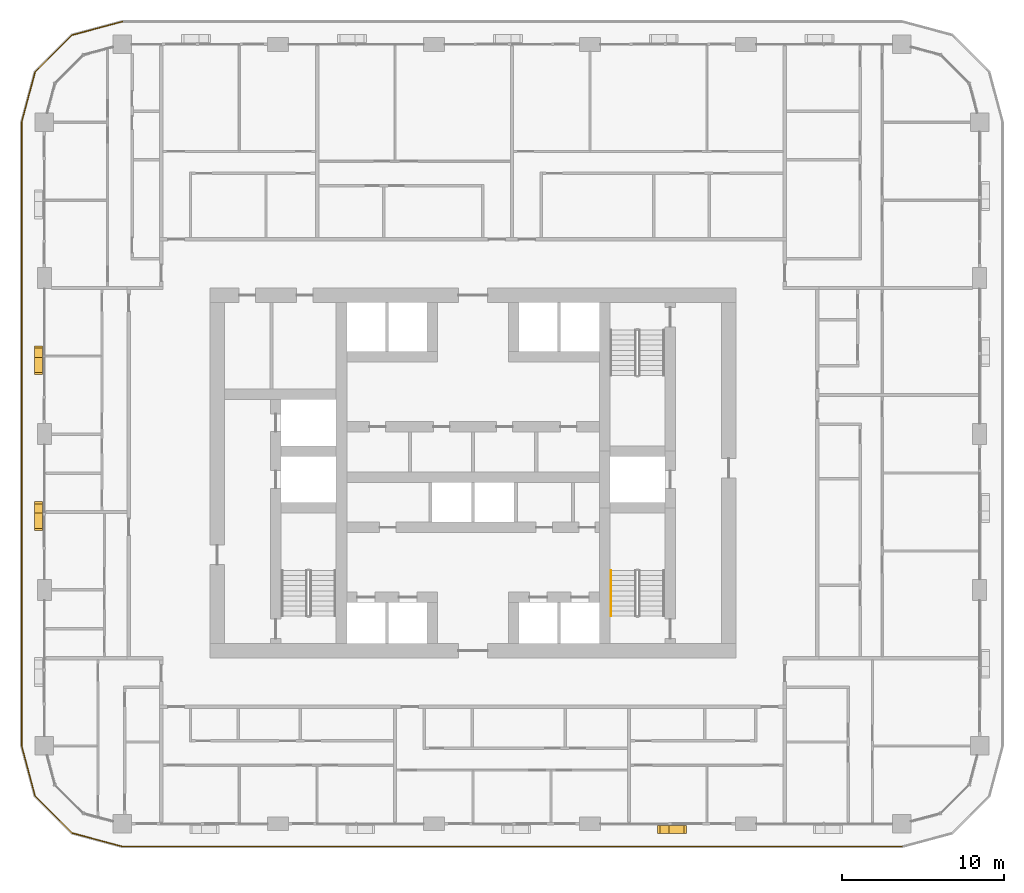
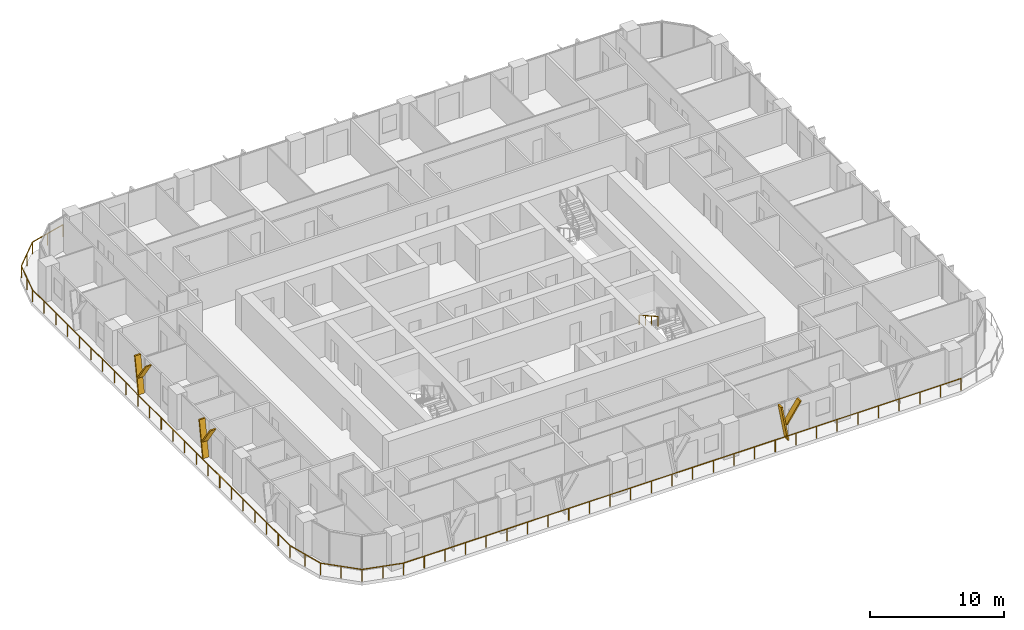
# One storey, part 18 of 22: 6 shading devices, 2 railings.
"""IFC4 building model written with IfcOpenShell, lengths in metres."""

from ifc_helpers import new_model, si_unit, direction, frame, origin, origin_2d, place, context, subcontext, project, spatial, polyline, circle, outline, extrude, material, type_object, element, save


model = new_model("IFC4")

# Units and contexts
model_context = context("Model", 3, precision=1e-05, world=origin(), true_north=direction((0.0, 1.0)))
body_context = subcontext(model_context, "Body", "Model", "MODEL_VIEW")
ifc_project = project(units=[si_unit("LENGTHUNIT", "METRE"), si_unit("AREAUNIT", "SQUARE_METRE"), si_unit("VOLUMEUNIT", "CUBIC_METRE"), si_unit("PLANEANGLEUNIT", "RADIAN"), si_unit("MASSUNIT", "GRAM", prefix="KILO")], contexts=[model_context])

# Site, building, storey
site_placement = place(None, origin())
site = spatial("IfcSite", under=ifc_project, at=site_placement, CompositionType="ELEMENT")
building_placement = place(site_placement, origin())
building = spatial("IfcBuilding", under=site, at=building_placement, Name="Madar Terraces", CompositionType="ELEMENT")
storey_placement = place(building_placement, frame((0.0, 0.0, 103.199951171875)))
storey = spatial("IfcBuildingStorey", under=building, at=storey_placement, Name="L26", CompositionType="ELEMENT", Elevation=103.199951171875)

# Railing
ifc_material_1 = material(Name="Glass, safety glazing, with stainless steel posts", Category="steel")
railing_type_1 = type_object("IfcRailingType", Name="Balcony glass guard 1100", PredefinedType="GUARDRAIL", material=ifc_material_1)
railing_1_placement = place(storey_placement, frame((9.60009765625, 54.199951171875, 0.0)))
element("IfcRailing", 1, at=railing_1_placement, inside=storey, type_object=railing_type_1, Name="Balcony guard", PredefinedType="GUARDRAIL", context=body_context, shape_type="SweptSolid", body=[
    extrude(circle(Radius=0.02392578125, at=origin_2d()), frame((0.0, 0.0, 1.076171875), z_axis=(-0.9659337912, -0.258789317819, 0.0), x_axis=(0.258789317819, -0.9659337912, 0.0)), (0.0, 0.0, 1.0), 3.20947265625),
    extrude(circle(Radius=0.02392578125, at=origin_2d()), frame((-3.10009765625, -0.83056640625, 1.076171875), z_axis=(-0.707106781187, -0.707106781187, 0.0), x_axis=(0.707106781187, -0.707106781187, 0.0)), (0.0, 0.0, 1.0), 3.209228515625),
    extrude(circle(Radius=0.02392578125, at=origin_2d()), frame((-5.369384765625, -3.099853515625, 1.076171875), z_axis=(-0.258860290944, -0.965914773555, 0.0), x_axis=(0.965914773555, -0.258860290944, 0.0)), (0.0, 0.0, 1.0), 3.20947265625),
    extrude(circle(Radius=0.02392578125, at=origin_2d()), frame((-6.2001953125, -6.199951171875, 1.076171875), z_axis=(0.0, -1.0, 0.0), x_axis=(1.0, 0.0, 0.0)), (0.0, 0.0, 1.0), 38.39990234375),
    extrude(circle(Radius=0.02392578125, at=origin_2d()), frame((-6.2001953125, -44.599853515625, 1.076171875), z_axis=(0.258860290944, -0.965914773555, 0.0), x_axis=(0.965914773555, 0.258860290944, 0.0)), (0.0, 0.0, 1.0), 3.20947265625),
    extrude(circle(Radius=0.02392578125, at=origin_2d()), frame((-5.369384765625, -47.699951171875, 1.076171875), z_axis=(0.707106781187, -0.707106781187, 0.0), x_axis=(0.707106781187, 0.707106781187, 0.0)), (0.0, 0.0, 1.0), 3.209228515625),
    extrude(circle(Radius=0.02392578125, at=origin_2d()), frame((-3.10009765625, -49.96923828125, 1.076171875), z_axis=(0.965914773555, -0.258860290944, 0.0), x_axis=(0.258860290944, 0.965914773555, 0.0)), (0.0, 0.0, 1.0), 3.20947265625),
    extrude(circle(Radius=0.02392578125, at=origin_2d()), frame((0.0, -50.800048828125, 1.076171875), z_axis=(1.0, 0.0, 0.0), x_axis=(0.0, 1.0, 0.0)), (0.0, 0.0, 1.0), 48.0),
    extrude(circle(Radius=0.02099609375, at=origin_2d()), origin(), (0.0, 0.0, 1.0), 1.052001953125),
    extrude(circle(Radius=0.02099609375, at=origin_2d()), frame((-1.550048828125, -0.415283203125, 0.0)), (0.0, 0.0, 1.0), 1.052001953125),
    extrude(circle(Radius=0.02099609375, at=origin_2d()), frame((-3.10009765625, -0.83056640625, 0.0)), (0.0, 0.0, 1.0), 1.052001953125),
    extrude(circle(Radius=0.02099609375, at=origin_2d()), frame((-4.23486328125, -1.96533203125, 0.0)), (0.0, 0.0, 1.0), 1.052001953125),
    extrude(circle(Radius=0.02099609375, at=origin_2d()), frame((-5.369384765625, -3.099853515625, 0.0)), (0.0, 0.0, 1.0), 1.052001953125),
    extrude(circle(Radius=0.02099609375, at=origin_2d()), frame((-5.78466796875, -4.64990234375, 0.0)), (0.0, 0.0, 1.0), 1.052001953125),
    extrude(circle(Radius=0.02099609375, at=origin_2d()), frame((-6.2001953125, -6.199951171875, 0.0)), (0.0, 0.0, 1.0), 1.052001953125),
    extrude(circle(Radius=0.02099609375, at=origin_2d()), frame((-6.2001953125, -7.9453125, 0.0)), (0.0, 0.0, 1.0), 1.052001953125),
    extrude(circle(Radius=0.02099609375, at=origin_2d()), frame((-6.2001953125, -9.69091796875, 0.0)), (0.0, 0.0, 1.0), 1.052001953125),
    extrude(circle(Radius=0.02099609375, at=origin_2d()), frame((-6.2001953125, -11.436279296875, 0.0)), (0.0, 0.0, 1.0), 1.052001953125),
    extrude(circle(Radius=0.02099609375, at=origin_2d()), frame((-6.2001953125, -13.181640625, 0.0)), (0.0, 0.0, 1.0), 1.052001953125),
    extrude(circle(Radius=0.02099609375, at=origin_2d()), frame((-6.2001953125, -14.92724609375, 0.0)), (0.0, 0.0, 1.0), 1.052001953125),
    extrude(circle(Radius=0.02099609375, at=origin_2d()), frame((-6.2001953125, -16.672607421875, 0.0)), (0.0, 0.0, 1.0), 1.052001953125),
    extrude(circle(Radius=0.02099609375, at=origin_2d()), frame((-6.2001953125, -18.418212890625, 0.0)), (0.0, 0.0, 1.0), 1.052001953125),
    extrude(circle(Radius=0.02099609375, at=origin_2d()), frame((-6.2001953125, -20.16357421875, 0.0)), (0.0, 0.0, 1.0), 1.052001953125),
    extrude(circle(Radius=0.02099609375, at=origin_2d()), frame((-6.2001953125, -21.908935546875, 0.0)), (0.0, 0.0, 1.0), 1.052001953125),
    extrude(circle(Radius=0.02099609375, at=origin_2d()), frame((-6.2001953125, -23.654541015625, 0.0)), (0.0, 0.0, 1.0), 1.052001953125),
    extrude(circle(Radius=0.02099609375, at=origin_2d()), frame((-6.2001953125, -25.39990234375, 0.0)), (0.0, 0.0, 1.0), 1.052001953125),
    extrude(circle(Radius=0.02099609375, at=origin_2d()), frame((-6.2001953125, -27.145263671875, 0.0)), (0.0, 0.0, 1.0), 1.052001953125),
    extrude(circle(Radius=0.02099609375, at=origin_2d()), frame((-6.2001953125, -28.890869140625, 0.0)), (0.0, 0.0, 1.0), 1.052001953125),
    extrude(circle(Radius=0.02099609375, at=origin_2d()), frame((-6.2001953125, -30.63623046875, 0.0)), (0.0, 0.0, 1.0), 1.052001953125),
    extrude(circle(Radius=0.02099609375, at=origin_2d()), frame((-6.2001953125, -32.381591796875, 0.0)), (0.0, 0.0, 1.0), 1.052001953125),
    extrude(circle(Radius=0.02099609375, at=origin_2d()), frame((-6.2001953125, -34.127197265625, 0.0)), (0.0, 0.0, 1.0), 1.052001953125),
    extrude(circle(Radius=0.02099609375, at=origin_2d()), frame((-6.2001953125, -35.87255859375, 0.0)), (0.0, 0.0, 1.0), 1.052001953125),
    extrude(circle(Radius=0.02099609375, at=origin_2d()), frame((-6.2001953125, -37.6181640625, 0.0)), (0.0, 0.0, 1.0), 1.052001953125),
    extrude(circle(Radius=0.02099609375, at=origin_2d()), frame((-6.2001953125, -39.363525390625, 0.0)), (0.0, 0.0, 1.0), 1.052001953125),
    extrude(circle(Radius=0.02099609375, at=origin_2d()), frame((-6.2001953125, -41.10888671875, 0.0)), (0.0, 0.0, 1.0), 1.052001953125),
    extrude(circle(Radius=0.02099609375, at=origin_2d()), frame((-6.2001953125, -42.8544921875, 0.0)), (0.0, 0.0, 1.0), 1.052001953125),
    extrude(circle(Radius=0.02099609375, at=origin_2d()), frame((-6.2001953125, -44.599853515625, 0.0)), (0.0, 0.0, 1.0), 1.052001953125),
    extrude(circle(Radius=0.02099609375, at=origin_2d()), frame((-5.78466796875, -46.14990234375, 0.0)), (0.0, 0.0, 1.0), 1.052001953125),
    extrude(circle(Radius=0.02099609375, at=origin_2d()), frame((-5.369384765625, -47.699951171875, 0.0)), (0.0, 0.0, 1.0), 1.052001953125),
    extrude(circle(Radius=0.02099609375, at=origin_2d()), frame((-4.23486328125, -48.83447265625, 0.0)), (0.0, 0.0, 1.0), 1.052001953125),
    extrude(circle(Radius=0.02099609375, at=origin_2d()), frame((-3.10009765625, -49.96923828125, 0.0)), (0.0, 0.0, 1.0), 1.052001953125),
    extrude(circle(Radius=0.02099609375, at=origin_2d()), frame((-1.550048828125, -50.384765625, 0.0)), (0.0, 0.0, 1.0), 1.052001953125),
    extrude(circle(Radius=0.02099609375, at=origin_2d()), frame((0.0, -50.800048828125, 0.0)), (0.0, 0.0, 1.0), 1.052001953125),
    extrude(circle(Radius=0.02099609375, at=origin_2d()), frame((1.77783203125, -50.800048828125, 0.0)), (0.0, 0.0, 1.0), 1.052001953125),
    extrude(circle(Radius=0.02099609375, at=origin_2d()), frame((3.5556640625, -50.800048828125, 0.0)), (0.0, 0.0, 1.0), 1.052001953125),
    extrude(circle(Radius=0.02099609375, at=origin_2d()), frame((5.333251953125, -50.800048828125, 0.0)), (0.0, 0.0, 1.0), 1.052001953125),
    extrude(circle(Radius=0.02099609375, at=origin_2d()), frame((7.111083984375, -50.800048828125, 0.0)), (0.0, 0.0, 1.0), 1.052001953125),
    extrude(circle(Radius=0.02099609375, at=origin_2d()), frame((8.888916015625, -50.800048828125, 0.0)), (0.0, 0.0, 1.0), 1.052001953125),
    extrude(circle(Radius=0.02099609375, at=origin_2d()), frame((10.666748046875, -50.800048828125, 0.0)), (0.0, 0.0, 1.0), 1.052001953125),
    extrude(circle(Radius=0.02099609375, at=origin_2d()), frame((12.4443359375, -50.800048828125, 0.0)), (0.0, 0.0, 1.0), 1.052001953125),
    extrude(circle(Radius=0.02099609375, at=origin_2d()), frame((14.22216796875, -50.800048828125, 0.0)), (0.0, 0.0, 1.0), 1.052001953125),
    extrude(circle(Radius=0.02099609375, at=origin_2d()), frame((16.0, -50.800048828125, 0.0)), (0.0, 0.0, 1.0), 1.052001953125),
    extrude(circle(Radius=0.02099609375, at=origin_2d()), frame((17.77783203125, -50.800048828125, 0.0)), (0.0, 0.0, 1.0), 1.052001953125),
    extrude(circle(Radius=0.02099609375, at=origin_2d()), frame((19.5556640625, -50.800048828125, 0.0)), (0.0, 0.0, 1.0), 1.052001953125),
    extrude(circle(Radius=0.02099609375, at=origin_2d()), frame((21.333251953125, -50.800048828125, 0.0)), (0.0, 0.0, 1.0), 1.052001953125),
    extrude(circle(Radius=0.02099609375, at=origin_2d()), frame((23.111083984375, -50.800048828125, 0.0)), (0.0, 0.0, 1.0), 1.052001953125),
    extrude(circle(Radius=0.02099609375, at=origin_2d()), frame((24.888916015625, -50.800048828125, 0.0)), (0.0, 0.0, 1.0), 1.052001953125),
    extrude(circle(Radius=0.02099609375, at=origin_2d()), frame((26.666748046875, -50.800048828125, 0.0)), (0.0, 0.0, 1.0), 1.052001953125),
    extrude(circle(Radius=0.02099609375, at=origin_2d()), frame((28.4443359375, -50.800048828125, 0.0)), (0.0, 0.0, 1.0), 1.052001953125),
    extrude(circle(Radius=0.02099609375, at=origin_2d()), frame((30.22216796875, -50.800048828125, 0.0)), (0.0, 0.0, 1.0), 1.052001953125),
    extrude(circle(Radius=0.02099609375, at=origin_2d()), frame((32.0, -50.800048828125, 0.0)), (0.0, 0.0, 1.0), 1.052001953125),
    extrude(circle(Radius=0.02099609375, at=origin_2d()), frame((33.77783203125, -50.800048828125, 0.0)), (0.0, 0.0, 1.0), 1.052001953125),
    extrude(circle(Radius=0.02099609375, at=origin_2d()), frame((35.5556640625, -50.800048828125, 0.0)), (0.0, 0.0, 1.0), 1.052001953125),
    extrude(circle(Radius=0.02099609375, at=origin_2d()), frame((37.333251953125, -50.800048828125, 0.0)), (0.0, 0.0, 1.0), 1.052001953125),
    extrude(circle(Radius=0.02099609375, at=origin_2d()), frame((39.111083984375, -50.800048828125, 0.0)), (0.0, 0.0, 1.0), 1.052001953125),
    extrude(circle(Radius=0.02099609375, at=origin_2d()), frame((40.888916015625, -50.800048828125, 0.0)), (0.0, 0.0, 1.0), 1.052001953125),
    extrude(circle(Radius=0.02099609375, at=origin_2d()), frame((42.666748046875, -50.800048828125, 0.0)), (0.0, 0.0, 1.0), 1.052001953125),
    extrude(circle(Radius=0.02099609375, at=origin_2d()), frame((44.4443359375, -50.800048828125, 0.0)), (0.0, 0.0, 1.0), 1.052001953125),
    extrude(circle(Radius=0.02099609375, at=origin_2d()), frame((46.22216796875, -50.800048828125, 0.0)), (0.0, 0.0, 1.0), 1.052001953125),
    extrude(circle(Radius=0.02099609375, at=origin_2d()), frame((48.0, -50.800048828125, 0.0)), (0.0, 0.0, 1.0), 1.052001953125),
])

# Shading devices
ifc_material_2 = material(Name="Aluminium, black anodised", Category="aluminium")
shading_device_type = type_object("IfcShadingDeviceType", Name="Facade fin blade 140 x 500", PredefinedType="USERDEFINED", material=ifc_material_2)
shading_device_1_placement = place(storey_placement, frame((43.1298828125, 4.449951171875, 0.0), z_axis=(0.0, 0.0, 1.0), x_axis=(1.0, 0.0, 0.0)))
element("IfcShadingDevice", 2, at=shading_device_1_placement, inside=storey, type_object=shading_device_type, Name="FIN L26 S4", ObjectType="FIN", PredefinedType="USERDEFINED", context=body_context, shape_type="SweptSolid", body=[
    extrude(outline(polyline([(0.0, 0.0), (0.14013671875, 0.0), (-0.42431640625, 3.199951171875), (-0.564208984375, 3.199951171875), (0.0, 0.0)])), frame((0.0, 0.25, 0.0), z_axis=(0.0, -1.0, 0.0), x_axis=(1.0, 0.0, 0.0)), (0.0, 0.0, 1.0), 0.5),
])
shading_device_2_placement = place(storey_placement, frame((43.01611328125, 4.449951171875, 1.43994140625), z_axis=(0.0, 0.0, 1.0), x_axis=(1.0, 0.0, 0.0)))
element("IfcShadingDevice", 3, at=shading_device_2_placement, inside=storey, type_object=shading_device_type, Name="FIN L26 S4 branch", ObjectType="FIN", PredefinedType="USERDEFINED", context=body_context, shape_type="SweptSolid", body=[
    extrude(outline(polyline([(0.0, 0.0), (0.139892578125, 0.0), (1.32958984375, 1.760009765625), (1.189697265625, 1.760009765625), (0.0, 0.0)])), frame((0.0, 0.25, 0.0), z_axis=(0.0, -1.0, 0.0), x_axis=(1.0, 0.0, 0.0)), (0.0, 0.0, 1.0), 0.5),
])
shading_device_3_placement = place(storey_placement, frame((4.449951171875, 33.669921875, 0.0), z_axis=(0.0, 0.0, 1.0), x_axis=(0.0, -1.0, 0.0)))
element("IfcShadingDevice", 4, at=shading_device_3_placement, inside=storey, type_object=shading_device_type, Name="FIN L26 W2", ObjectType="FIN", PredefinedType="USERDEFINED", context=body_context, shape_type="SweptSolid", body=[
    extrude(outline(polyline([(0.0, 0.0), (0.139892578125, 0.0), (-0.42431640625, 3.199951171875), (-0.564208984375, 3.199951171875), (0.0, 0.0)])), frame((0.0, 0.25, 0.0), z_axis=(0.0, -1.0, 0.0), x_axis=(1.0, 0.0, 0.0)), (0.0, 0.0, 1.0), 0.5),
])
shading_device_4_placement = place(storey_placement, frame((4.449951171875, 33.783935546875, 1.43994140625), z_axis=(0.0, 0.0, 1.0), x_axis=(0.0, -1.0, 0.0)))
element("IfcShadingDevice", 5, at=shading_device_4_placement, inside=storey, type_object=shading_device_type, Name="FIN L26 W2 branch", ObjectType="FIN", PredefinedType="USERDEFINED", context=body_context, shape_type="SweptSolid", body=[
    extrude(outline(polyline([(0.0, 0.0), (0.14013671875, 0.0), (1.32958984375, 1.760009765625), (1.189697265625, 1.760009765625), (0.0, 0.0)])), frame((0.0, 0.25, 0.0), z_axis=(0.0, -1.0, 0.0), x_axis=(1.0, 0.0, 0.0)), (0.0, 0.0, 1.0), 0.5),
])
shading_device_5_placement = place(storey_placement, frame((4.449951171875, 24.070068359375, 0.0), z_axis=(0.0, 0.0, 1.0), x_axis=(0.0, -1.0, 0.0)))
element("IfcShadingDevice", 6, at=shading_device_5_placement, inside=storey, type_object=shading_device_type, Name="FIN L26 W3", ObjectType="FIN", PredefinedType="USERDEFINED", context=body_context, shape_type="SweptSolid", body=[
    extrude(outline(polyline([(0.0, 0.0), (0.14013671875, 0.0), (-0.42431640625, 3.199951171875), (-0.564208984375, 3.199951171875), (0.0, 0.0)])), frame((0.0, 0.25, 0.0), z_axis=(0.0, -1.0, 0.0), x_axis=(1.0, 0.0, 0.0)), (0.0, 0.0, 1.0), 0.5),
])
shading_device_6_placement = place(storey_placement, frame((4.449951171875, 24.183837890625, 1.43994140625), z_axis=(0.0, 0.0, 1.0), x_axis=(0.0, -1.0, 0.0)))
element("IfcShadingDevice", 7, at=shading_device_6_placement, inside=storey, type_object=shading_device_type, Name="FIN L26 W3 branch", ObjectType="FIN", PredefinedType="USERDEFINED", context=body_context, shape_type="SweptSolid", body=[
    extrude(outline(polyline([(0.0, 0.0), (0.139892578125, 0.0), (1.32958984375, 1.760009765625), (1.189697265625, 1.760009765625), (0.0, 0.0)])), frame((0.0, 0.25, 0.0), z_axis=(0.0, -1.0, 0.0), x_axis=(1.0, 0.0, 0.0)), (0.0, 0.0, 1.0), 0.5),
])

# Railing
ifc_material_3 = material(Name="Stainless steel railing", Category="steel")
railing_type_2 = type_object("IfcRailingType", Name="Stair handrail 900", PredefinedType="HANDRAIL", material=ifc_material_3)
railing_2_placement = place(storey_placement, frame((39.699951171875, 20.389892578125, 1.925048828125)))
element("IfcRailing", 8, at=railing_2_placement, inside=storey, type_object=railing_type_2, Name="L26 ST3 stair handrail 2", PredefinedType="HANDRAIL", context=body_context, shape_type="SweptSolid", body=[
    extrude(circle(Radius=0.02392578125, at=origin_2d()), frame((0.0, 0.0, 0.8759765625), z_axis=(0.0, -0.870815363784, 0.491610213684), x_axis=(1.0, 0.0, 0.0)), (0.0, 0.0, 1.0), 3.20361328125),
    extrude(circle(Radius=0.02099609375, at=origin_2d()), origin(), (0.0, 0.0, 1.0), 0.851806640625),
    extrude(circle(Radius=0.02099609375, at=origin_2d()), frame((0.0, -0.929931640625, 0.52490234375)), (0.0, 0.0, 1.0), 0.851806640625),
    extrude(circle(Radius=0.02099609375, at=origin_2d()), frame((0.0, -1.85986328125, 1.050048828125)), (0.0, 0.0, 1.0), 0.851806640625),
    extrude(circle(Radius=0.02099609375, at=origin_2d()), frame((0.0, -2.789794921875, 1.574951171875)), (0.0, 0.0, 1.0), 0.851806640625),
])

save(model, "model.ifc")
